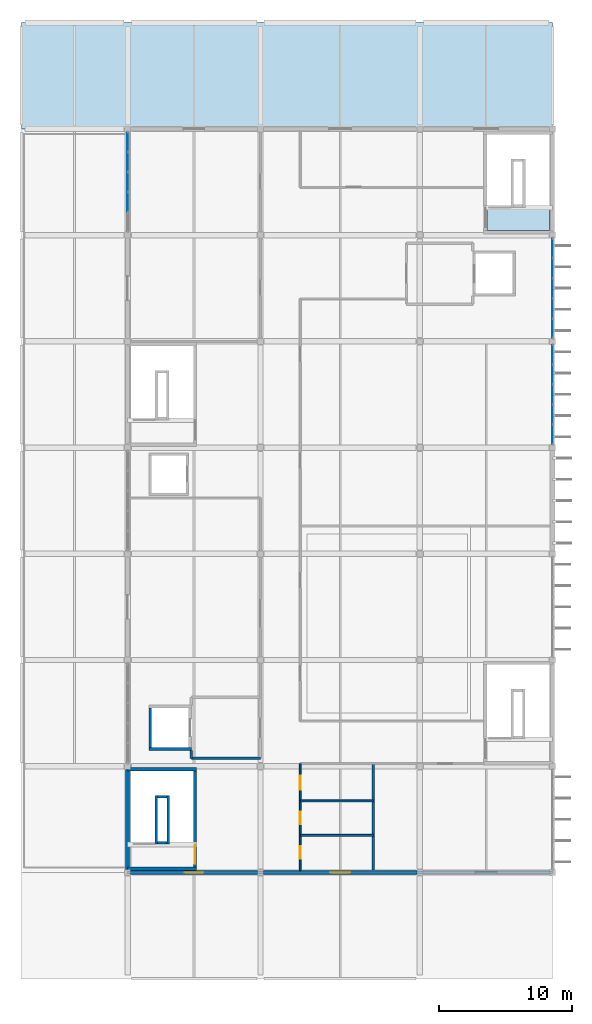
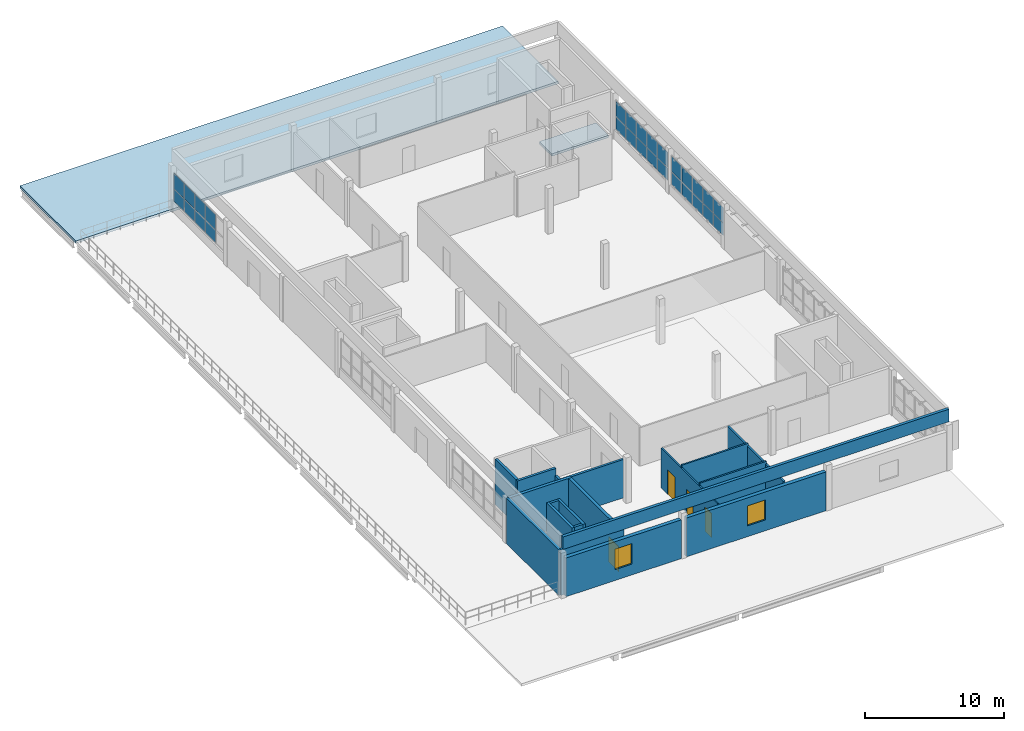
# One storey, part 8 of 12: 28 plates, 19 walls, 4 doors, 2 slabs, 2 windows, 6 openings, 3 elements without a shape of their own.
"""IFC4 building model written with IfcOpenShell, lengths in metres."""

from ifc_helpers import new_model, si_unit, direction, frame, frame_2d, origin, origin_2d, place, context, subcontext, project, spatial, polyline, rectangle, outline, extrude, material, layer, layer_set, type_object, element, fill, aggregate, save


model = new_model("IFC4")

# Units and contexts
model_context = context("Model", 3, precision=1e-05, world=origin(), true_north=direction((0.0, 1.0)))
body_context = subcontext(model_context, "Body", "Model", "MODEL_VIEW")
ifc_project = project(units=[si_unit("LENGTHUNIT", "METRE"), si_unit("AREAUNIT", "SQUARE_METRE"), si_unit("VOLUMEUNIT", "CUBIC_METRE"), si_unit("PLANEANGLEUNIT", "RADIAN"), si_unit("MASSUNIT", "GRAM", prefix="KILO")], contexts=[model_context])

# Site, building, storey
site_placement = place(None, origin())
site = spatial("IfcSite", under=ifc_project, at=site_placement, CompositionType="ELEMENT")
building_placement = place(site_placement, origin())
building = spatial("IfcBuilding", under=site, at=building_placement, Name="Drelvana Railside Aquatics Centre", CompositionType="ELEMENT")
storey_placement = place(building_placement, frame((0.0, 0.0, 18.60009765625)))
storey = spatial("IfcBuildingStorey", under=building, at=storey_placement, Name="L04", CompositionType="ELEMENT", Elevation=18.60009765625)

# Curtain wall, plates
ifc_material_1 = material(Name="Bronze-anodised aluminium curtain wall", Category="aluminium")
ifc_layer_1 = layer(ifc_material_1, 0.175048828125, Name="Bronze-anodised aluminium curtain wall")
ifc_layer_set_1 = layer_set([ifc_layer_1], Name="Bronze-anodised aluminium curtain wall")
curtain_wall_type = type_object("IfcCurtainWallType", Name="CW-Z6-WING", PredefinedType="NOTDEFINED", material=ifc_layer_set_1)
curtain_wall_1_placement = place(storey_placement, origin())
curtain_wall_1 = element("IfcCurtainWall", 1, at=curtain_wall_1_placement, inside=storey, type_object=curtain_wall_type, Name="Curtain wall CW-06-165", PredefinedType="NOTDEFINED")
ifc_material_2 = material(Name="Double-glazed low-e solar-control glass", Category="glass")
ifc_layer_2 = layer(ifc_material_2, 0.02392578125, Name="Double-glazed low-e solar-control glass")
ifc_layer_set_2 = layer_set([ifc_layer_2], Name="Double-glazed low-e solar-control glass")
plate_type = type_object("IfcPlateType", Name="CW-Z6-WING-PAN", PredefinedType="CURTAIN_PANEL", material=ifc_layer_set_2)
plate_1_placement = place(storey_placement, frame((152.0, 74.487548828125, 0.84912109375), z_axis=(0.0, 0.0, 1.0), x_axis=(0.0, 1.0, 0.0)))
plate_1 = element("IfcPlate", 2, at=plate_1_placement, type_object=plate_type, Name="CW-06 panel 2.1", PredefinedType="CURTAIN_PANEL", context=body_context, shape_type="SweptSolid", body=[
    extrude(rectangle(XDim=1.45751953125, YDim=0.02392578125, at=origin_2d()), origin(), (0.0, 0.0, 1.0), 1.076904296875),
])
plate_2_placement = place(storey_placement, frame((152.0, 74.487548828125, 1.975830078125), z_axis=(0.0, 0.0, 1.0), x_axis=(0.0, 1.0, 0.0)))
plate_2 = element("IfcPlate", 3, at=plate_2_placement, type_object=plate_type, Name="CW-06 panel 2.2", PredefinedType="CURTAIN_PANEL", context=body_context, shape_type="SweptSolid", body=[
    extrude(rectangle(XDim=1.45751953125, YDim=0.02392578125, at=origin_2d()), origin(), (0.0, 0.0, 1.0), 1.333984375),
])
plate_3_placement = place(storey_placement, frame((152.0, 76.0, 0.84912109375), z_axis=(0.0, 0.0, 1.0), x_axis=(0.0, 1.0, 0.0)))
plate_3 = element("IfcPlate", 4, at=plate_3_placement, type_object=plate_type, Name="CW-06 panel 3.1", PredefinedType="CURTAIN_PANEL", context=body_context, shape_type="SweptSolid", body=[
    extrude(rectangle(XDim=1.45751953125, YDim=0.02392578125, at=origin_2d()), origin(), (0.0, 0.0, 1.0), 1.076904296875),
])
plate_4_placement = place(storey_placement, frame((152.0, 76.0, 1.975830078125), z_axis=(0.0, 0.0, 1.0), x_axis=(0.0, 1.0, 0.0)))
plate_4 = element("IfcPlate", 5, at=plate_4_placement, type_object=plate_type, Name="CW-06 panel 3.2", PredefinedType="CURTAIN_PANEL", context=body_context, shape_type="SweptSolid", body=[
    extrude(rectangle(XDim=1.45751953125, YDim=0.02392578125, at=origin_2d()), origin(), (0.0, 0.0, 1.0), 1.333984375),
])
plate_5_placement = place(storey_placement, frame((152.0, 77.512451171875, 0.84912109375), z_axis=(0.0, 0.0, 1.0), x_axis=(0.0, 1.0, 0.0)))
plate_5 = element("IfcPlate", 6, at=plate_5_placement, type_object=plate_type, Name="CW-06 panel 4.1", PredefinedType="CURTAIN_PANEL", context=body_context, shape_type="SweptSolid", body=[
    extrude(rectangle(XDim=1.45751953125, YDim=0.02392578125, at=origin_2d()), origin(), (0.0, 0.0, 1.0), 1.076904296875),
])
plate_6_placement = place(storey_placement, frame((152.0, 77.512451171875, 1.975830078125), z_axis=(0.0, 0.0, 1.0), x_axis=(0.0, 1.0, 0.0)))
plate_6 = element("IfcPlate", 7, at=plate_6_placement, type_object=plate_type, Name="CW-06 panel 4.2", PredefinedType="CURTAIN_PANEL", context=body_context, shape_type="SweptSolid", body=[
    extrude(rectangle(XDim=1.45751953125, YDim=0.02392578125, at=origin_2d()), origin(), (0.0, 0.0, 1.0), 1.333984375),
])
plate_7_placement = place(storey_placement, frame((152.0, 79.008544921875, 0.84912109375), z_axis=(0.0, 0.0, 1.0), x_axis=(0.0, 1.0, 0.0)))
plate_7 = element("IfcPlate", 8, at=plate_7_placement, type_object=plate_type, Name="CW-06 panel 5.1", PredefinedType="CURTAIN_PANEL", context=body_context, shape_type="SweptSolid", body=[
    extrude(rectangle(XDim=1.4248046875, YDim=0.02392578125, at=origin_2d()), origin(), (0.0, 0.0, 1.0), 1.076904296875),
])
plate_8_placement = place(storey_placement, frame((152.0, 79.008544921875, 1.975830078125), z_axis=(0.0, 0.0, 1.0), x_axis=(0.0, 1.0, 0.0)))
plate_8 = element("IfcPlate", 9, at=plate_8_placement, type_object=plate_type, Name="CW-06 panel 5.2", PredefinedType="CURTAIN_PANEL", context=body_context, shape_type="SweptSolid", body=[
    extrude(rectangle(XDim=1.4248046875, YDim=0.02392578125, at=origin_2d()), origin(), (0.0, 0.0, 1.0), 1.333984375),
])
aggregate(curtain_wall_1, [plate_1, plate_2, plate_3, plate_4, plate_5, plate_6, plate_7, plate_8])

curtain_wall_2_placement = place(storey_placement, origin())
curtain_wall_2 = element("IfcCurtainWall", 10, at=curtain_wall_2_placement, inside=storey, type_object=curtain_wall_type, Name="Curtain wall CW-06-179", PredefinedType="NOTDEFINED")
plate_9_placement = place(storey_placement, frame((184.0, 56.991455078125, 0.84912109375), z_axis=(0.0, 0.0, 1.0), x_axis=(0.0, 1.0, 0.0)))
plate_9 = element("IfcPlate", 11, at=plate_9_placement, type_object=plate_type, Name="CW-06 panel 1.1", PredefinedType="CURTAIN_PANEL", context=body_context, shape_type="SweptSolid", body=[
    extrude(rectangle(XDim=1.4248046875, YDim=0.02392578125, at=origin_2d()), origin(), (0.0, 0.0, 1.0), 1.076904296875),
])
plate_10_placement = place(storey_placement, frame((184.0, 56.991455078125, 1.975830078125), z_axis=(0.0, 0.0, 1.0), x_axis=(0.0, 1.0, 0.0)))
plate_10 = element("IfcPlate", 12, at=plate_10_placement, type_object=plate_type, Name="CW-06 panel 1.2", PredefinedType="CURTAIN_PANEL", context=body_context, shape_type="SweptSolid", body=[
    extrude(rectangle(XDim=1.4248046875, YDim=0.02392578125, at=origin_2d()), origin(), (0.0, 0.0, 1.0), 1.333984375),
])
plate_11_placement = place(storey_placement, frame((184.0, 58.487548828125, 0.84912109375), z_axis=(0.0, 0.0, 1.0), x_axis=(0.0, 1.0, 0.0)))
plate_11 = element("IfcPlate", 13, at=plate_11_placement, type_object=plate_type, Name="CW-06 panel 2.1", PredefinedType="CURTAIN_PANEL", context=body_context, shape_type="SweptSolid", body=[
    extrude(rectangle(XDim=1.45751953125, YDim=0.02392578125, at=origin_2d()), origin(), (0.0, 0.0, 1.0), 1.076904296875),
])
plate_12_placement = place(storey_placement, frame((184.0, 58.487548828125, 1.975830078125), z_axis=(0.0, 0.0, 1.0), x_axis=(0.0, 1.0, 0.0)))
plate_12 = element("IfcPlate", 14, at=plate_12_placement, type_object=plate_type, Name="CW-06 panel 2.2", PredefinedType="CURTAIN_PANEL", context=body_context, shape_type="SweptSolid", body=[
    extrude(rectangle(XDim=1.45751953125, YDim=0.02392578125, at=origin_2d()), origin(), (0.0, 0.0, 1.0), 1.333984375),
])
plate_13_placement = place(storey_placement, frame((184.0, 60.0, 0.84912109375), z_axis=(0.0, 0.0, 1.0), x_axis=(0.0, 1.0, 0.0)))
plate_13 = element("IfcPlate", 15, at=plate_13_placement, type_object=plate_type, Name="CW-06 panel 3.1", PredefinedType="CURTAIN_PANEL", context=body_context, shape_type="SweptSolid", body=[
    extrude(rectangle(XDim=1.45751953125, YDim=0.02392578125, at=origin_2d()), origin(), (0.0, 0.0, 1.0), 1.076904296875),
])
plate_14_placement = place(storey_placement, frame((184.0, 60.0, 1.975830078125), z_axis=(0.0, 0.0, 1.0), x_axis=(0.0, 1.0, 0.0)))
plate_14 = element("IfcPlate", 16, at=plate_14_placement, type_object=plate_type, Name="CW-06 panel 3.2", PredefinedType="CURTAIN_PANEL", context=body_context, shape_type="SweptSolid", body=[
    extrude(rectangle(XDim=1.45751953125, YDim=0.02392578125, at=origin_2d()), origin(), (0.0, 0.0, 1.0), 1.333984375),
])
plate_15_placement = place(storey_placement, frame((184.0, 61.512451171875, 0.84912109375), z_axis=(0.0, 0.0, 1.0), x_axis=(0.0, 1.0, 0.0)))
plate_15 = element("IfcPlate", 17, at=plate_15_placement, type_object=plate_type, Name="CW-06 panel 4.1", PredefinedType="CURTAIN_PANEL", context=body_context, shape_type="SweptSolid", body=[
    extrude(rectangle(XDim=1.45751953125, YDim=0.02392578125, at=origin_2d()), origin(), (0.0, 0.0, 1.0), 1.076904296875),
])
plate_16_placement = place(storey_placement, frame((184.0, 61.512451171875, 1.975830078125), z_axis=(0.0, 0.0, 1.0), x_axis=(0.0, 1.0, 0.0)))
plate_16 = element("IfcPlate", 18, at=plate_16_placement, type_object=plate_type, Name="CW-06 panel 4.2", PredefinedType="CURTAIN_PANEL", context=body_context, shape_type="SweptSolid", body=[
    extrude(rectangle(XDim=1.45751953125, YDim=0.02392578125, at=origin_2d()), origin(), (0.0, 0.0, 1.0), 1.333984375),
])
plate_17_placement = place(storey_placement, frame((184.0, 63.008544921875, 0.84912109375), z_axis=(0.0, 0.0, 1.0), x_axis=(0.0, 1.0, 0.0)))
plate_17 = element("IfcPlate", 19, at=plate_17_placement, type_object=plate_type, Name="CW-06 panel 5.1", PredefinedType="CURTAIN_PANEL", context=body_context, shape_type="SweptSolid", body=[
    extrude(rectangle(XDim=1.4248046875, YDim=0.02392578125, at=origin_2d()), origin(), (0.0, 0.0, 1.0), 1.076904296875),
])
plate_18_placement = place(storey_placement, frame((184.0, 63.008544921875, 1.975830078125), z_axis=(0.0, 0.0, 1.0), x_axis=(0.0, 1.0, 0.0)))
plate_18 = element("IfcPlate", 20, at=plate_18_placement, type_object=plate_type, Name="CW-06 panel 5.2", PredefinedType="CURTAIN_PANEL", context=body_context, shape_type="SweptSolid", body=[
    extrude(rectangle(XDim=1.4248046875, YDim=0.02392578125, at=origin_2d()), origin(), (0.0, 0.0, 1.0), 1.333984375),
])
aggregate(curtain_wall_2, [plate_9, plate_10, plate_11, plate_12, plate_13, plate_14, plate_15, plate_16, plate_17, plate_18])

curtain_wall_3_placement = place(storey_placement, origin())
curtain_wall_3 = element("IfcCurtainWall", 21, at=curtain_wall_3_placement, inside=storey, type_object=curtain_wall_type, Name="Curtain wall CW-06-183", PredefinedType="NOTDEFINED")
plate_19_placement = place(storey_placement, frame((184.0, 64.991455078125, 0.84912109375), z_axis=(0.0, 0.0, 1.0), x_axis=(0.0, 1.0, 0.0)))
plate_19 = element("IfcPlate", 22, at=plate_19_placement, type_object=plate_type, Name="CW-06 panel 1.1", PredefinedType="CURTAIN_PANEL", context=body_context, shape_type="SweptSolid", body=[
    extrude(rectangle(XDim=1.4248046875, YDim=0.02392578125, at=origin_2d()), origin(), (0.0, 0.0, 1.0), 1.076904296875),
])
plate_20_placement = place(storey_placement, frame((184.0, 64.991455078125, 1.975830078125), z_axis=(0.0, 0.0, 1.0), x_axis=(0.0, 1.0, 0.0)))
plate_20 = element("IfcPlate", 23, at=plate_20_placement, type_object=plate_type, Name="CW-06 panel 1.2", PredefinedType="CURTAIN_PANEL", context=body_context, shape_type="SweptSolid", body=[
    extrude(rectangle(XDim=1.4248046875, YDim=0.02392578125, at=origin_2d()), origin(), (0.0, 0.0, 1.0), 1.333984375),
])
plate_21_placement = place(storey_placement, frame((184.0, 66.487548828125, 0.84912109375), z_axis=(0.0, 0.0, 1.0), x_axis=(0.0, 1.0, 0.0)))
plate_21 = element("IfcPlate", 24, at=plate_21_placement, type_object=plate_type, Name="CW-06 panel 2.1", PredefinedType="CURTAIN_PANEL", context=body_context, shape_type="SweptSolid", body=[
    extrude(rectangle(XDim=1.45751953125, YDim=0.02392578125, at=origin_2d()), origin(), (0.0, 0.0, 1.0), 1.076904296875),
])
plate_22_placement = place(storey_placement, frame((184.0, 66.487548828125, 1.975830078125), z_axis=(0.0, 0.0, 1.0), x_axis=(0.0, 1.0, 0.0)))
plate_22 = element("IfcPlate", 25, at=plate_22_placement, type_object=plate_type, Name="CW-06 panel 2.2", PredefinedType="CURTAIN_PANEL", context=body_context, shape_type="SweptSolid", body=[
    extrude(rectangle(XDim=1.45751953125, YDim=0.02392578125, at=origin_2d()), origin(), (0.0, 0.0, 1.0), 1.333984375),
])
plate_23_placement = place(storey_placement, frame((184.0, 68.0, 0.84912109375), z_axis=(0.0, 0.0, 1.0), x_axis=(0.0, 1.0, 0.0)))
plate_23 = element("IfcPlate", 26, at=plate_23_placement, type_object=plate_type, Name="CW-06 panel 3.1", PredefinedType="CURTAIN_PANEL", context=body_context, shape_type="SweptSolid", body=[
    extrude(rectangle(XDim=1.45751953125, YDim=0.02392578125, at=origin_2d()), origin(), (0.0, 0.0, 1.0), 1.076904296875),
])
plate_24_placement = place(storey_placement, frame((184.0, 68.0, 1.975830078125), z_axis=(0.0, 0.0, 1.0), x_axis=(0.0, 1.0, 0.0)))
plate_24 = element("IfcPlate", 27, at=plate_24_placement, type_object=plate_type, Name="CW-06 panel 3.2", PredefinedType="CURTAIN_PANEL", context=body_context, shape_type="SweptSolid", body=[
    extrude(rectangle(XDim=1.45751953125, YDim=0.02392578125, at=origin_2d()), origin(), (0.0, 0.0, 1.0), 1.333984375),
])
plate_25_placement = place(storey_placement, frame((184.0, 69.512451171875, 0.84912109375), z_axis=(0.0, 0.0, 1.0), x_axis=(0.0, 1.0, 0.0)))
plate_25 = element("IfcPlate", 28, at=plate_25_placement, type_object=plate_type, Name="CW-06 panel 4.1", PredefinedType="CURTAIN_PANEL", context=body_context, shape_type="SweptSolid", body=[
    extrude(rectangle(XDim=1.45751953125, YDim=0.02392578125, at=origin_2d()), origin(), (0.0, 0.0, 1.0), 1.076904296875),
])
plate_26_placement = place(storey_placement, frame((184.0, 69.512451171875, 1.975830078125), z_axis=(0.0, 0.0, 1.0), x_axis=(0.0, 1.0, 0.0)))
plate_26 = element("IfcPlate", 29, at=plate_26_placement, type_object=plate_type, Name="CW-06 panel 4.2", PredefinedType="CURTAIN_PANEL", context=body_context, shape_type="SweptSolid", body=[
    extrude(rectangle(XDim=1.45751953125, YDim=0.02392578125, at=origin_2d()), origin(), (0.0, 0.0, 1.0), 1.333984375),
])
plate_27_placement = place(storey_placement, frame((184.0, 71.008544921875, 0.84912109375), z_axis=(0.0, 0.0, 1.0), x_axis=(0.0, 1.0, 0.0)))
plate_27 = element("IfcPlate", 30, at=plate_27_placement, type_object=plate_type, Name="CW-06 panel 5.1", PredefinedType="CURTAIN_PANEL", context=body_context, shape_type="SweptSolid", body=[
    extrude(rectangle(XDim=1.4248046875, YDim=0.02392578125, at=origin_2d()), origin(), (0.0, 0.0, 1.0), 1.076904296875),
])
plate_28_placement = place(storey_placement, frame((184.0, 71.008544921875, 1.975830078125), z_axis=(0.0, 0.0, 1.0), x_axis=(0.0, 1.0, 0.0)))
plate_28 = element("IfcPlate", 31, at=plate_28_placement, type_object=plate_type, Name="CW-06 panel 5.2", PredefinedType="CURTAIN_PANEL", context=body_context, shape_type="SweptSolid", body=[
    extrude(rectangle(XDim=1.4248046875, YDim=0.02392578125, at=origin_2d()), origin(), (0.0, 0.0, 1.0), 1.333984375),
])
aggregate(curtain_wall_3, [plate_19, plate_20, plate_21, plate_22, plate_23, plate_24, plate_25, plate_26, plate_27, plate_28])

# Slabs
ifc_material_3 = material(Name="Concrete C40/50", Category="concrete")
ifc_layer_3 = layer(ifc_material_3, 0.199951171875, Name="Concrete C40/50")
ifc_layer_set_3 = layer_set([ifc_layer_3], Name="Concrete C40/50")
slab_type_1 = type_object("IfcSlabType", Name="SL-LAND-200", PredefinedType="LANDING", material=ifc_layer_set_3)
slab_1_placement = place(storey_placement, frame((0.0, 0.0, -0.2001953125)))
element("IfcSlab", 32, at=slab_1_placement, inside=storey, type_object=slab_type_1, Name="Stair ST-07 L04 floor landing", PredefinedType="LANDING", context=body_context, shape_type="SweptSolid", body=[
    extrude(outline(polyline([(179.050048828125, 72.35009765625), (183.75, 72.35009765625), (183.75, 74.14990234375), (179.050048828125, 74.14990234375), (179.050048828125, 72.35009765625)])), origin(), (0.0, 0.0, 1.0), 0.2001953125),
])
ifc_layer_4 = layer(ifc_material_3, 0.215087890625, Name="Concrete C40/50")
ifc_layer_set_4 = layer_set([ifc_layer_4], Name="Concrete C40/50")
slab_type_2 = type_object("IfcSlabType", Name="SL-RF-215", PredefinedType="ROOF", material=ifc_layer_set_4)
slab_2_placement = place(storey_placement, frame((0.0, 0.0, -0.215087890625)))
element("IfcSlab", 33, at=slab_2_placement, inside=storey, type_object=slab_type_2, Name="V5 L04 north setback roof slab", PredefinedType="ROOF", context=body_context, shape_type="SweptSolid", body=[
    extrude(outline(polyline([(144.0, 80.0), (184.0, 80.0), (184.0, 88.0), (144.0, 88.0), (144.0, 80.0)])), origin(), (0.0, 0.0, 1.0), 0.215087890625),
])

# Walls
ifc_material_4 = material(Name="Concrete blockwork compartment wall", Category="masonry")
ifc_layer_5 = layer(ifc_material_4, 0.18505859375, Name="Concrete blockwork compartment wall")
ifc_layer_set_5 = layer_set([ifc_layer_5], Name="Concrete blockwork compartment wall")
wall_type_1 = type_object("IfcWallType", Name="WL-COMP-185", PredefinedType="STANDARD", material=ifc_layer_set_5)
wall_1_placement = place(storey_placement, frame((162.0, 32.60009765625, 0.0), z_axis=(0.0, 0.0, 1.0), x_axis=(-1.0, 0.0, 0.0)))
element("IfcWall", 34, at=wall_1_placement, inside=storey, type_object=wall_type_1, Name="Firefighting lobby FL-01 S wall (L04)", PredefinedType="STANDARD", context=body_context, shape_type="SweptSolid", body=[
    extrude(rectangle(XDim=5.199951171875, YDim=0.18505859375, at=frame_2d((2.60009765625, 0.0))), origin(), (0.0, 0.0, 1.0), 3.364990234375),
])
wall_2_placement = place(storey_placement, frame((156.800048828125, 32.60009765625, 0.0), z_axis=(0.0, 0.0, 1.0), x_axis=(0.0, 1.0, 0.0)))
element("IfcWall", 35, at=wall_2_placement, inside=storey, type_object=wall_type_1, Name="Firefighting lobby FL-01 SHS wall (L04)", PredefinedType="STANDARD", context=body_context, shape_type="SweptSolid", body=[
    extrude(rectangle(XDim=0.599853515625, YDim=0.18505859375, at=frame_2d((0.2998046875, 0.0))), origin(), (0.0, 0.0, 1.0), 3.364990234375),
])
ifc_layer_6 = layer(ifc_material_3, 0.25, Name="Concrete C40/50")
ifc_layer_set_6 = layer_set([ifc_layer_6], Name="Concrete C40/50")
wall_type_2 = type_object("IfcWallType", Name="WL-CORE-250", PredefinedType="SHEAR", material=ifc_layer_set_6)
for number, where, z_axis, x_axis, name in (
    (36, (152.0, 24.284912109375, 0.0), (0.0, 0.0, 1.0), (1.0, 0.0, 0.0), "Core 6 Federation Wing Court-West S core wall (L04)"),
    (37, (152.0, 31.77490234375, 0.0), (0.0, 0.0, 1.0), (1.0, 0.0, 0.0), "Core 6 Federation Wing Court-West N core wall (L04)"),
):
    element("IfcWall", number, at=place(storey_placement, frame(where, z_axis=z_axis, x_axis=x_axis)), inside=storey, type_object=wall_type_2, Name=name, PredefinedType="SHEAR", context=body_context, shape_type="SweptSolid", body=[
        extrude(rectangle(XDim=5.199951171875, YDim=0.25, at=frame_2d((2.60009765625, 0.0))), origin(), (0.0, 0.0, 1.0), 3.98486328125),
    ])

# Wall, opening, door
wall_3_placement = place(storey_placement, frame((157.074951171875, 24.409912109375, 0.0), z_axis=(0.0, 0.0, 1.0), x_axis=(0.0, 1.0, 0.0)))
wall_3 = element("IfcWall", 38, at=wall_3_placement, inside=storey, type_object=wall_type_2, Name="Core 6 Federation Wing Court-West E core wall (L04)", PredefinedType="SHEAR", context=body_context, shape_type="SweptSolid", body=[
    extrude(rectangle(XDim=7.239990234375, YDim=0.25, at=frame_2d((3.6201171875, 0.0))), origin(), (0.0, 0.0, 1.0), 3.98486328125),
])
opening_1_placement = place(wall_3_placement, frame((0.25, 0.0, 0.0)))
opening_1 = element("IfcOpeningElement", 39, at=opening_1_placement, cuts=wall_3, Name="Opening D-01-040", PredefinedType="OPENING", context=body_context, shape_type="SweptSolid", body=[
    extrude(rectangle(XDim=1.449951171875, YDim=2.199951171875, at=frame_2d((0.72509765625, 1.10009765625))), frame((0.0, 0.135009765625, 0.0), z_axis=(0.0, -1.0, 0.0), x_axis=(1.0, 0.0, 0.0)), (0.0, 0.0, 1.0), 0.27001953125),
])
ifc_material_5 = material(Name="Fire-rated steel and vision-panel door", Category="steel")
door_type_1 = type_object("IfcDoorType", Name="DR-INT-STAIR-1450x2200", OperationType="DOUBLE_DOOR_SINGLE_SWING", PredefinedType="DOOR", material=ifc_material_5)
door_1_placement = place(opening_1_placement, origin())
door_1 = element("IfcDoor", 40, at=door_1_placement, inside=storey, type_object=door_type_1, Name="Stair ST-06 lobby door D-01-040", OperationType="DOUBLE_DOOR_SINGLE_SWING", OverallHeight=2.199951171875, OverallWidth=1.449951171875, PredefinedType="DOOR", context=body_context, shape_type="SweptSolid", body=[
    extrude(rectangle(XDim=1.449951171875, YDim=2.199951171875, at=frame_2d((0.72509765625, 1.10009765625))), frame((0.0, 0.02490234375, 0.0), z_axis=(0.0, -1.0, 0.0), x_axis=(1.0, 0.0, 0.0)), (0.0, 0.0, 1.0), 0.050048828125),
])
fill(opening_1, door_1)

# Wall
ifc_layer_7 = layer(ifc_material_3, 0.300048828125, Name="Concrete C40/50")
ifc_layer_set_7 = layer_set([ifc_layer_7], Name="Concrete C40/50")
wall_type_3 = type_object("IfcWallType", Name="WL-CORE-300", PredefinedType="SHEAR", material=ifc_layer_set_7)
wall_4_placement = place(storey_placement, frame((152.0, 24.220947265625, 0.0), z_axis=(0.0, 0.0, 1.0), x_axis=(0.0, 1.0, 0.0)))
element("IfcWall", 41, at=wall_4_placement, inside=storey, type_object=wall_type_3, Name="Core 6 L04 west shear wall", PredefinedType="SHEAR", context=body_context, shape_type="SweptSolid", body=[
    extrude(rectangle(XDim=7.55810546875, YDim=0.300048828125, at=frame_2d((3.779052734375, 0.0))), origin(), (0.0, 0.0, 1.0), 3.98486328125),
])

# Wall, openings, doors
ifc_material_6 = material(Name="Acoustic twin-stud gypsum partition", Category="gypsum")
ifc_layer_8 = layer(ifc_material_6, 0.1201171875, Name="Acoustic twin-stud gypsum partition")
ifc_layer_set_8 = layer_set([ifc_layer_8], Name="Acoustic twin-stud gypsum partition")
wall_type_4 = type_object("IfcWallType", Name="WL-DRY-120", PredefinedType="PARTITIONING", material=ifc_layer_set_8)
wall_5_placement = place(storey_placement, frame((165.0, 24.14990234375, 0.0), z_axis=(0.0, 0.0, 1.0), x_axis=(0.0, 1.0, 0.0)))
wall_5 = element("IfcWall", 42, at=wall_5_placement, inside=storey, type_object=wall_type_4, Name="V5 L04 east corridor wall", PredefinedType="PARTITIONING", context=body_context, shape_type="SweptSolid", body=[
    extrude(rectangle(XDim=8.050048828125, YDim=0.1201171875, at=frame_2d((4.02490234375, 0.0))), origin(), (0.0, 0.0, 1.0), 3.514892578125),
])
opening_2_placement = place(wall_5_placement, frame((0.89990234375, 0.0, 0.0)))
opening_2 = element("IfcOpeningElement", 43, at=opening_2_placement, cuts=wall_5, Name="Opening D-11-254", PredefinedType="OPENING", context=body_context, shape_type="SweptSolid", body=[
    extrude(rectangle(XDim=0.919921875, YDim=2.10009765625, at=frame_2d((0.4599609375, 1.050048828125))), frame((0.0, 0.070068359375, 0.0), z_axis=(0.0, -1.0, 0.0), x_axis=(1.0, 0.0, 0.0)), (0.0, 0.0, 1.0), 0.14013671875),
])
opening_3_placement = place(wall_5_placement, frame((3.5, 0.0, 0.0)))
opening_3 = element("IfcOpeningElement", 44, at=opening_3_placement, cuts=wall_5, Name="Opening D-11-255", PredefinedType="OPENING", context=body_context, shape_type="SweptSolid", body=[
    extrude(rectangle(XDim=0.919921875, YDim=2.10009765625, at=frame_2d((0.4599609375, 1.050048828125))), frame((0.0, 0.070068359375, 0.0), z_axis=(0.0, -1.0, 0.0), x_axis=(1.0, 0.0, 0.0)), (0.0, 0.0, 1.0), 0.14013671875),
])
opening_4_placement = place(wall_5_placement, frame((6.10009765625, 0.0, 0.0)))
opening_4 = element("IfcOpeningElement", 45, at=opening_4_placement, cuts=wall_5, Name="Opening D-12-256", PredefinedType="OPENING", context=body_context, shape_type="SweptSolid", body=[
    extrude(rectangle(XDim=1.050048828125, YDim=2.14990234375, at=frame_2d((0.52490234375, 1.074951171875))), frame((0.0, 0.070068359375, 0.0), z_axis=(0.0, -1.0, 0.0), x_axis=(1.0, 0.0, 0.0)), (0.0, 0.0, 1.0), 0.14013671875),
])
ifc_material_7 = material(Name="Accessible toilet outward-opening door", Category="wood")
door_type_2 = type_object("IfcDoorType", Name="DR-INT-AWC-1050x2150", OperationType="NOTDEFINED", PredefinedType="DOOR", material=ifc_material_7)
door_2_placement = place(opening_4_placement, origin())
door_2 = element("IfcDoor", 46, at=door_2_placement, inside=storey, type_object=door_type_2, Name="L04 Accessible WC door D-12-256", OperationType="SINGLE_SWING_LEFT", OverallHeight=2.14990234375, OverallWidth=1.050048828125, PredefinedType="DOOR", context=body_context, shape_type="SweptSolid", body=[
    extrude(rectangle(XDim=1.050048828125, YDim=2.14990234375, at=frame_2d((0.52490234375, 1.074951171875))), frame((0.0, 0.02490234375, 0.0), z_axis=(0.0, -1.0, 0.0), x_axis=(1.0, 0.0, 0.0)), (0.0, 0.0, 1.0), 0.050048828125),
])
fill(opening_4, door_2)
ifc_material_8 = material(Name="Moisture-resistant laminate WC door", Category="wood")
door_type_3 = type_object("IfcDoorType", Name="DR-INT-WC-920x2100", OperationType="NOTDEFINED", PredefinedType="DOOR", material=ifc_material_8)
door_3_placement = place(opening_2_placement, origin())
door_3 = element("IfcDoor", 47, at=door_3_placement, inside=storey, type_object=door_type_3, Name="L04 Male WC door D-11-254", OperationType="SINGLE_SWING_LEFT", OverallHeight=2.10009765625, OverallWidth=0.919921875, PredefinedType="DOOR", context=body_context, shape_type="SweptSolid", body=[
    extrude(rectangle(XDim=0.919921875, YDim=2.10009765625, at=frame_2d((0.4599609375, 1.050048828125))), frame((0.0, 0.02490234375, 0.0), z_axis=(0.0, -1.0, 0.0), x_axis=(1.0, 0.0, 0.0)), (0.0, 0.0, 1.0), 0.050048828125),
])
fill(opening_2, door_3)
door_4_placement = place(opening_3_placement, origin())
door_4 = element("IfcDoor", 48, at=door_4_placement, inside=storey, type_object=door_type_3, Name="L04 Female WC door D-11-255", OperationType="SINGLE_SWING_RIGHT", OverallHeight=2.10009765625, OverallWidth=0.919921875, PredefinedType="DOOR", context=body_context, shape_type="SweptSolid", body=[
    extrude(rectangle(XDim=0.919921875, YDim=2.10009765625, at=frame_2d((0.4599609375, 1.050048828125))), frame((0.0, 0.02490234375, 0.0), z_axis=(0.0, -1.0, 0.0), x_axis=(1.0, 0.0, 0.0)), (0.0, 0.0, 1.0), 0.050048828125),
])
fill(opening_3, door_4)

# Wall, opening, window
ifc_material_9 = material(Name="Terracotta rainscreen masonry wall", Category="masonry")
ifc_layer_9 = layer(ifc_material_9, 0.31005859375, Name="Terracotta rainscreen masonry wall")
ifc_layer_set_9 = layer_set([ifc_layer_9], Name="Terracotta rainscreen masonry wall")
wall_type_5 = type_object("IfcWallType", Name="WL-EXT-310", PredefinedType="STANDARD", material=ifc_layer_set_9)
wall_6_placement = place(storey_placement, frame((152.220947265625, 24.0, 0.0), z_axis=(0.0, 0.0, 1.0), x_axis=(1.0, 0.0, 0.0)))
wall_6 = element("IfcWall", 49, at=wall_6_placement, inside=storey, type_object=wall_type_5, Name="V5 L04 end bay wall", PredefinedType="STANDARD", context=body_context, shape_type="SweptSolid", body=[
    extrude(rectangle(XDim=9.55810546875, YDim=0.31005859375, at=frame_2d((4.779052734375, 0.0))), origin(), (0.0, 0.0, 1.0), 3.39990234375),
])
opening_5_placement = place(wall_6_placement, frame((4.0791015625, 0.0, 0.949951171875)))
opening_5 = element("IfcOpeningElement", 50, at=opening_5_placement, cuts=wall_6, Name="Opening W-15", PredefinedType="OPENING", context=body_context, shape_type="SweptSolid", body=[
    extrude(rectangle(XDim=1.39990234375, YDim=1.800048828125, at=frame_2d((0.699951171875, 0.89990234375))), frame((0.0, 0.1650390625, 0.0), z_axis=(0.0, -1.0, 0.0), x_axis=(1.0, 0.0, 0.0)), (0.0, 0.0, 1.0), 0.330078125),
])
ifc_material_10 = material(Name="Double-glazed solar-control aluminium window", Category="aluminium")
window_type_1 = type_object("IfcWindowType", Name="WIN-15", PartitioningType="SINGLE_PANEL", PredefinedType="WINDOW", material=ifc_material_10)
window_1_placement = place(opening_5_placement, origin())
window_1 = element("IfcWindow", 51, at=window_1_placement, inside=storey, type_object=window_type_1, Name="V5 L04 end window WIN-15", OverallHeight=1.800048828125, OverallWidth=1.39990234375, PartitioningType="SINGLE_PANEL", PredefinedType="WINDOW", context=body_context, shape_type="SweptSolid", body=[
    extrude(rectangle(XDim=1.39990234375, YDim=1.800048828125, at=frame_2d((0.699951171875, 0.89990234375))), frame((0.0, 0.030029296875, 0.0), z_axis=(0.0, -1.0, 0.0), x_axis=(1.0, 0.0, 0.0)), (0.0, 0.0, 1.0), 0.06005859375),
])
fill(opening_5, window_1)

wall_7_placement = place(storey_placement, frame((162.220947265625, 24.0, 0.0), z_axis=(0.0, 0.0, 1.0), x_axis=(1.0, 0.0, 0.0)))
wall_7 = element("IfcWall", 52, at=wall_7_placement, inside=storey, type_object=wall_type_5, Name="V5 L04 end bay wall", PredefinedType="STANDARD", context=body_context, shape_type="SweptSolid", body=[
    extrude(rectangle(XDim=11.55810546875, YDim=0.31005859375, at=frame_2d((5.779052734375, 0.0))), origin(), (0.0, 0.0, 1.0), 3.39990234375),
])
opening_6_placement = place(wall_7_placement, frame((5.029052734375, 0.0, 0.949951171875)))
opening_6 = element("IfcOpeningElement", 53, at=opening_6_placement, cuts=wall_7, Name="Opening W-17", PredefinedType="OPENING", context=body_context, shape_type="SweptSolid", body=[
    extrude(rectangle(XDim=1.5, YDim=1.75, at=frame_2d((0.75, 0.875))), frame((0.0, 0.1650390625, 0.0), z_axis=(0.0, -1.0, 0.0), x_axis=(1.0, 0.0, 0.0)), (0.0, 0.0, 1.0), 0.330078125),
])
window_type_2 = type_object("IfcWindowType", Name="WIN-17", PartitioningType="SINGLE_PANEL", PredefinedType="WINDOW", material=ifc_material_10)
window_2_placement = place(opening_6_placement, origin())
window_2 = element("IfcWindow", 54, at=window_2_placement, inside=storey, type_object=window_type_2, Name="V5 L04 end window WIN-17", OverallHeight=1.75, OverallWidth=1.5, PartitioningType="SINGLE_PANEL", PredefinedType="WINDOW", context=body_context, shape_type="SweptSolid", body=[
    extrude(rectangle(XDim=1.5, YDim=1.75, at=frame_2d((0.75, 0.875))), frame((0.0, 0.030029296875, 0.0), z_axis=(0.0, -1.0, 0.0), x_axis=(1.0, 0.0, 0.0)), (0.0, 0.0, 1.0), 0.06005859375),
])
fill(opening_6, window_2)

# Walls
ifc_material_11 = material(Name="Precast concrete C40/50", Category="concrete")
ifc_layer_10 = layer(ifc_material_11, 0.239990234375, Name="Precast concrete C40/50")
ifc_layer_set_10 = layer_set([ifc_layer_10], Name="Precast concrete C40/50")
wall_type_6 = type_object("IfcWallType", Name="WL-PAR-240", PredefinedType="PARAPET", material=ifc_layer_set_10)
wall_8_placement = place(storey_placement, frame((152.0, 24.0, 4.199951171875), z_axis=(0.0, 0.0, 1.0), x_axis=(1.0, 0.0, 0.0)))
element("IfcWall", 55, at=wall_8_placement, inside=storey, type_object=wall_type_6, Name="Roof parapet wall 1", PredefinedType="PARAPET", context=body_context, shape_type="SweptSolid", body=[
    extrude(rectangle(XDim=32.0, YDim=0.239990234375, at=frame_2d((16.0, 0.0))), origin(), (0.0, 0.0, 1.0), 1.099853515625),
])
ifc_layer_11 = layer(ifc_material_3, 0.199951171875, Name="Concrete C40/50")
ifc_layer_set_11 = layer_set([ifc_layer_11], Name="Concrete C40/50")
wall_type_7 = type_object("IfcWallType", Name="WL-SHFT-200", PredefinedType="SHEAR", material=ifc_layer_set_11)
for number, where, z_axis, x_axis, name in (
    (56, (154.14990234375, 26.14990234375, 0.0), (0.0, 0.0, 1.0), (0.0, 1.0, 0.0), "Stair ST-06 central spine wall A (L04)"),
    (57, (155.050048828125, 26.14990234375, 0.0), (0.0, 0.0, 1.0), (0.0, 1.0, 0.0), "Stair ST-06 central spine wall B (L04)"),
):
    element("IfcWall", number, at=place(storey_placement, frame(where, z_axis=z_axis, x_axis=x_axis)), inside=storey, type_object=wall_type_7, Name=name, PredefinedType="SHEAR", context=body_context, shape_type="SweptSolid", body=[
        extrude(rectangle(XDim=3.66015625, YDim=0.199951171875, at=frame_2d((1.830078125, 0.0))), origin(), (0.0, 0.0, 1.0), 3.98486328125),
    ])
for number, where, z_axis, x_axis, name in (
    (58, (154.25, 26.25, 0.0), (0.0, 0.0, 1.0), (1.0, 0.0, 0.0), "Stair ST-06 central spine wall S (L04)"),
    (59, (154.25, 29.7099609375, 0.0), (0.0, 0.0, 1.0), (1.0, 0.0, 0.0), "Stair ST-06 central spine wall N (L04)"),
):
    element("IfcWall", number, at=place(storey_placement, frame(where, z_axis=z_axis, x_axis=x_axis)), inside=storey, type_object=wall_type_7, Name=name, PredefinedType="SHEAR", context=body_context, shape_type="SweptSolid", body=[
        extrude(rectangle(XDim=0.699951171875, YDim=0.199951171875, at=frame_2d((0.35009765625, 0.0))), origin(), (0.0, 0.0, 1.0), 3.98486328125),
    ])
wall_9_placement = place(storey_placement, frame((153.60009765625, 33.300048828125, 0.0), z_axis=(0.0, 0.0, 1.0), x_axis=(1.0, 0.0, 0.0)))
element("IfcWall", 60, at=wall_9_placement, inside=storey, type_object=wall_type_7, Name="Lift FL-01 S shaft wall (L04)", PredefinedType="SHEAR", context=body_context, shape_type="SweptSolid", body=[
    extrude(rectangle(XDim=3.199951171875, YDim=0.199951171875, at=frame_2d((1.60009765625, 0.0))), origin(), (0.0, 0.0, 1.0), 3.98486328125),
])
wall_10_placement = place(storey_placement, frame((153.699951171875, 33.39990234375, 0.0), z_axis=(0.0, 0.0, 1.0), x_axis=(0.0, 1.0, 0.0)))
element("IfcWall", 61, at=wall_10_placement, inside=storey, type_object=wall_type_7, Name="Lift FL-01 W shaft wall (L04)", PredefinedType="SHEAR", context=body_context, shape_type="SweptSolid", body=[
    extrude(rectangle(XDim=3.0, YDim=0.199951171875, at=frame_2d((1.5, 0.0))), origin(), (0.0, 0.0, 1.0), 3.98486328125),
])
ifc_material_12 = material(Name="Moisture-resistant tiled plumbing chase wall", Category="masonry")
ifc_layer_12 = layer(ifc_material_12, 0.139892578125, Name="Moisture-resistant tiled plumbing chase wall")
ifc_layer_set_12 = layer_set([ifc_layer_12], Name="Moisture-resistant tiled plumbing chase wall")
wall_type_8 = type_object("IfcWallType", Name="WL-WET-140", PredefinedType="PLUMBINGWALL", material=ifc_layer_set_12)
for number, where, z_axis, x_axis, name in (
    (62, (165.0, 26.800048828125, 0.0), (0.0, 0.0, 1.0), (1.0, 0.0, 0.0), "L04 WC divider 1"),
    (63, (165.0, 29.39990234375, 0.0), (0.0, 0.0, 1.0), (1.0, 0.0, 0.0), "L04 WC divider 2"),
):
    element("IfcWall", number, at=place(storey_placement, frame(where, z_axis=z_axis, x_axis=x_axis)), inside=storey, type_object=wall_type_8, Name=name, PredefinedType="PLUMBINGWALL", context=body_context, shape_type="SweptSolid", body=[
        extrude(rectangle(XDim=5.5, YDim=0.139892578125, at=frame_2d((2.75, 0.0))), origin(), (0.0, 0.0, 1.0), 3.724853515625),
    ])
ifc_material_13 = material(Name="Water-resistant ceramic-tiled block partition", Category="masonry")
ifc_layer_13 = layer(ifc_material_13, 0.159912109375, Name="Water-resistant ceramic-tiled block partition")
ifc_layer_set_13 = layer_set([ifc_layer_13], Name="Water-resistant ceramic-tiled block partition")
wall_type_9 = type_object("IfcWallType", Name="WL-WET-160", PredefinedType="PARTITIONING", material=ifc_layer_set_13)
wall_11_placement = place(storey_placement, frame((170.5, 24.199951171875, 0.0), z_axis=(0.0, 0.0, 1.0), x_axis=(0.0, 1.0, 0.0)))
element("IfcWall", 64, at=wall_11_placement, inside=storey, type_object=wall_type_9, Name="L04 WC back wall", PredefinedType="PARTITIONING", context=body_context, shape_type="SweptSolid", body=[
    extrude(rectangle(XDim=8.0, YDim=0.159912109375, at=frame_2d((4.0, 0.0))), origin(), (0.0, 0.0, 1.0), 3.514892578125),
])

save(model, "model.ifc")
